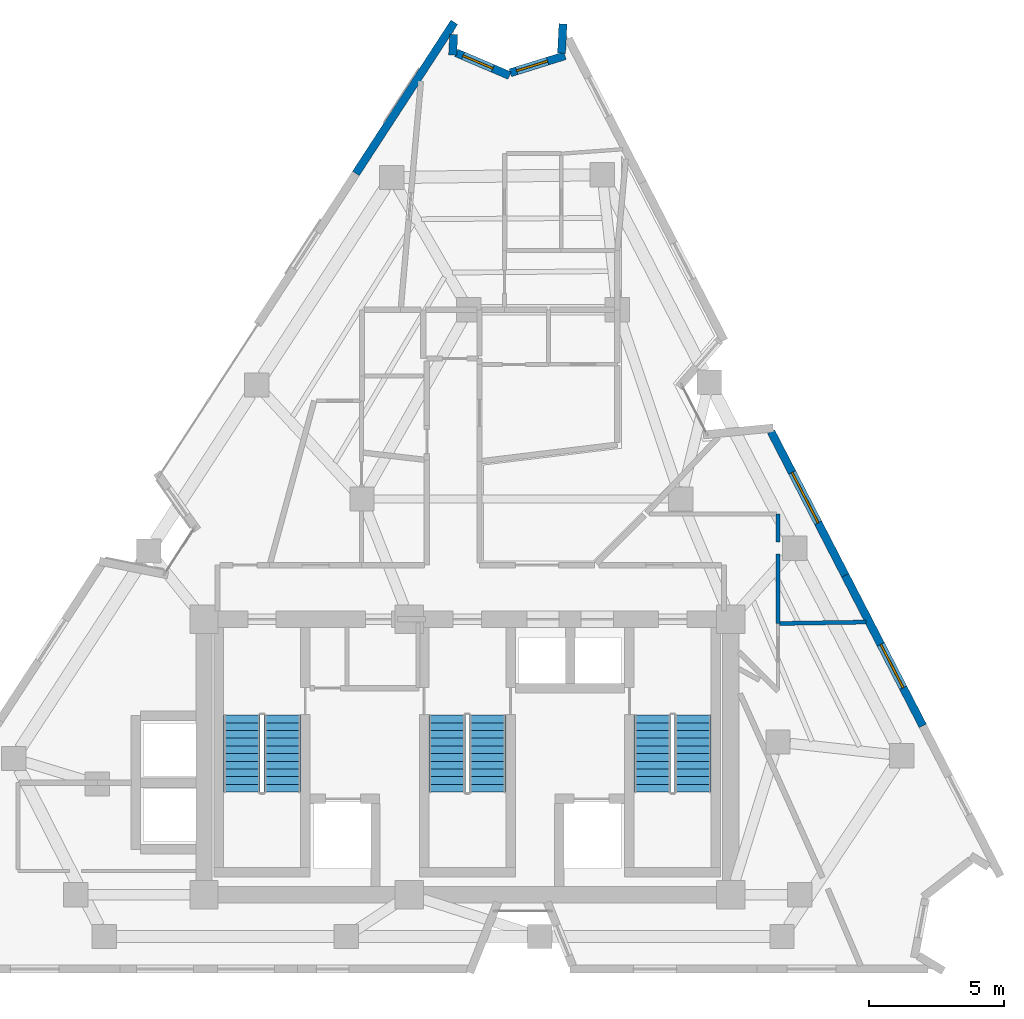
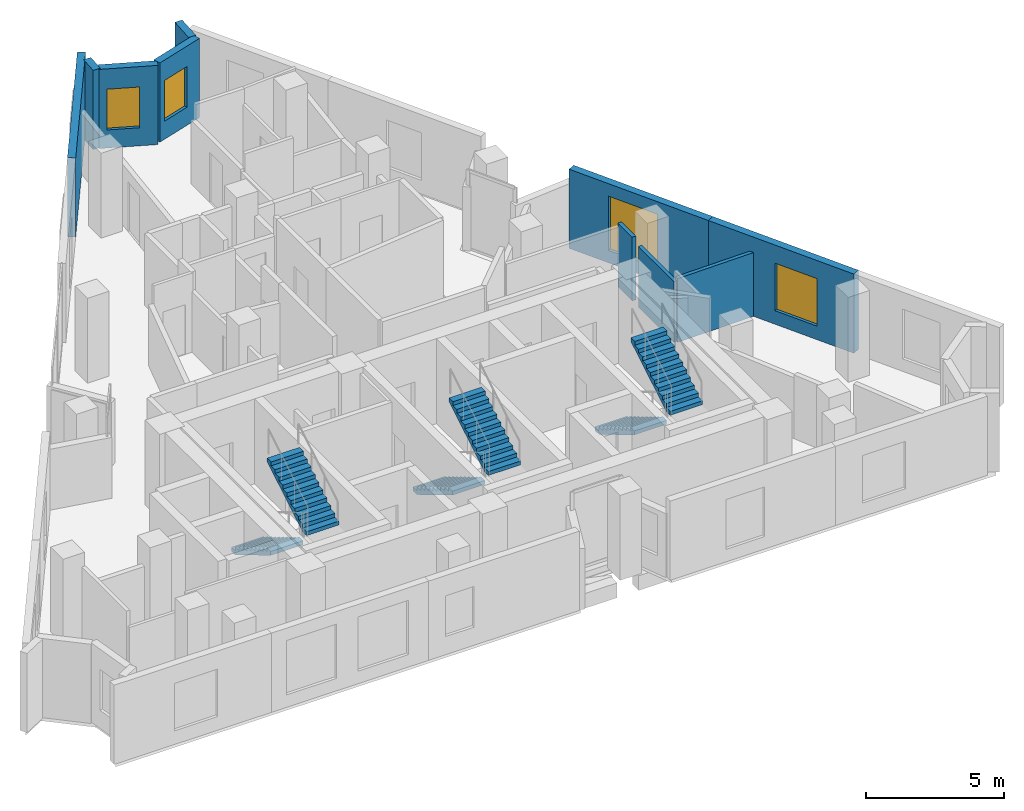
# One storey, part 8 of 9: 10 walls, 6 stair flights, 4 windows, 4 openings, 3 elements without a shape of their own.
"""IFC4 building model written with IfcOpenShell, lengths in metres."""

from ifc_helpers import new_model, si_unit, direction, frame, frame_2d, origin, place, context, subcontext, project, spatial, polyline, rectangle, outline, extrude, material, layer, layer_set, type_object, element, fill, aggregate, save


model = new_model("IFC4")

# Units and contexts
model_context = context("Model", 3, precision=1e-05, world=origin(), true_north=direction((0.0, 1.0)))
body_context = subcontext(model_context, "Body", "Model", "MODEL_VIEW")
ifc_project = project(units=[si_unit("LENGTHUNIT", "METRE"), si_unit("AREAUNIT", "SQUARE_METRE"), si_unit("VOLUMEUNIT", "CUBIC_METRE"), si_unit("PLANEANGLEUNIT", "RADIAN"), si_unit("MASSUNIT", "GRAM", prefix="KILO")], contexts=[model_context])

# Site, building, storey
site_placement = place(None, origin())
site = spatial("IfcSite", under=ifc_project, at=site_placement, CompositionType="ELEMENT")
building_placement = place(site_placement, origin())
building = spatial("IfcBuilding", under=site, at=building_placement, Name="Almagre Mirador Tower", CompositionType="ELEMENT")
storey_placement = place(building_placement, frame((0.0, 0.0, 210.75)))
storey = spatial("IfcBuildingStorey", under=building, at=storey_placement, Name="L54", CompositionType="ELEMENT", Elevation=210.75)

# Walls
ifc_material_1 = material(Name="Precast concrete C50/60", Category="concrete")
ifc_layer_1 = layer(ifc_material_1, 0.300048828125)
ifc_layer_set_1 = layer_set([ifc_layer_1], Name="Precast concrete C50/60")
wall_type_1 = type_object("IfcWallType", Name="WAL-EXT-300", PredefinedType="SOLIDWALL", material=ifc_layer_set_1)
wall_1_placement = place(storey_placement, frame((33.174072265625, 31.2509765625, 0.0), z_axis=(0.0, 0.0, 1.0), x_axis=(0.545624217243, 0.838029959821, 0.0)))
element("IfcWall", 1, at=wall_1_placement, inside=storey, type_object=wall_type_1, Name="L54 expressed almagre precast frame wall 04", PredefinedType="SOLIDWALL", context=body_context, shape_type="SweptSolid", body=[
    extrude(rectangle(XDim=6.6787109375, YDim=0.300048828125, at=frame_2d((3.33935546875, 0.0))), origin(), (0.0, 0.0, 1.0), 3.5),
])
wall_2_placement = place(storey_placement, frame((36.794921875, 36.3935546875, 0.0), z_axis=(0.0, 0.0, 1.0), x_axis=(-0.051035290984, -0.998696850438, 0.0)))
element("IfcWall", 2, at=wall_2_placement, inside=storey, type_object=wall_type_1, Name="L54 expressed almagre precast frame wall 05", PredefinedType="SOLIDWALL", context=body_context, shape_type="SweptSolid", body=[
    extrude(rectangle(XDim=0.765380859375, YDim=0.300048828125, at=frame_2d((0.3828125, 0.0))), origin(), (0.0, 0.0, 1.0), 3.5),
])

# Wall, opening, window
wall_3_placement = place(storey_placement, frame((36.88720703125, 35.7158203125, 0.0), z_axis=(0.0, 0.0, 1.0), x_axis=(0.919567916171, -0.392931097711, 0.0)))
wall_3 = element("IfcWall", 3, at=wall_3_placement, inside=storey, type_object=wall_type_1, Name="L54 expressed almagre precast frame wall 06", PredefinedType="SOLIDWALL", context=body_context, shape_type="SweptSolid", body=[
    extrude(rectangle(XDim=2.147216796875, YDim=0.300048828125, at=frame_2d((1.07373046875, 0.0))), origin(), (0.0, 0.0, 1.0), 3.5),
])
opening_1_placement = place(wall_3_placement, frame((0.27490234375, 0.0, 0.800048828125)))
opening_1 = element("IfcOpeningElement", 4, at=opening_1_placement, cuts=wall_3, Name="Opening WN-04", PredefinedType="OPENING", context=body_context, shape_type="SweptSolid", body=[
    extrude(rectangle(XDim=1.199951171875, YDim=1.800048828125, at=frame_2d((0.60009765625, 0.89990234375))), frame((0.0, 0.159902, 0.0), z_axis=(0.0, -1.0, 0.0), x_axis=(1.0, 0.0, 0.0)), (0.0, 0.0, 1.0), 0.320049),
])
ifc_material_2 = material(Name="Dark solar-control laminated hurricane glass", Category="glass")
window_type_1 = type_object("IfcWindowType", Name="WIN-1200X1800", PartitioningType="SINGLE_PANEL", PredefinedType="WINDOW", material=ifc_material_2)
window_1_placement = place(opening_1_placement, origin())
window_1 = element("IfcWindow", 5, at=window_1_placement, inside=storey, type_object=window_type_1, Name="L54 recessed hurricane window L54-UL-ST", OverallHeight=1.800048828125, OverallWidth=1.199951171875, PartitioningType="SINGLE_PANEL", PredefinedType="WINDOW", context=body_context, shape_type="SweptSolid", body=[
    extrude(rectangle(XDim=1.199951171875, YDim=1.800048828125, at=frame_2d((0.60009765625, 0.89990234375))), frame((0.0, 0.030029296875, 0.0), z_axis=(0.0, -1.0, 0.0), x_axis=(1.0, 0.0, 0.0)), (0.0, 0.0, 1.0), 0.06005859375),
])
fill(opening_1, window_1)

wall_4_placement = place(storey_placement, frame((38.8857421875, 34.974609375, 0.0), z_axis=(0.0, 0.0, 1.0), x_axis=(0.954524975295, 0.298130963736, 0.0)))
wall_4 = element("IfcWall", 6, at=wall_4_placement, inside=storey, type_object=wall_type_1, Name="L54 expressed almagre precast frame wall 07", PredefinedType="SOLIDWALL", context=body_context, shape_type="SweptSolid", body=[
    extrude(rectangle(XDim=2.12353515625, YDim=0.300048828125, at=frame_2d((1.061767578125, 0.0))), origin(), (0.0, 0.0, 1.0), 3.5),
])
opening_2_placement = place(wall_4_placement, frame((0.25, 0.0, 0.800048828125)))
opening_2 = element("IfcOpeningElement", 7, at=opening_2_placement, cuts=wall_4, Name="Opening WN-04", PredefinedType="OPENING", context=body_context, shape_type="SweptSolid", body=[
    extrude(rectangle(XDim=1.199951171875, YDim=1.800048828125, at=frame_2d((0.60009765625, 0.89990234375))), frame((0.0, 0.159902, 0.0), z_axis=(0.0, -1.0, 0.0), x_axis=(1.0, 0.0, 0.0)), (0.0, 0.0, 1.0), 0.320049),
])
window_2_placement = place(opening_2_placement, origin())
window_2 = element("IfcWindow", 8, at=window_2_placement, inside=storey, type_object=window_type_1, Name="L54 recessed hurricane window L54-UL-ST", OverallHeight=1.800048828125, OverallWidth=1.199951171875, PartitioningType="SINGLE_PANEL", PredefinedType="WINDOW", context=body_context, shape_type="SweptSolid", body=[
    extrude(rectangle(XDim=1.199951171875, YDim=1.800048828125, at=frame_2d((0.60009765625, 0.89990234375))), frame((0.0, 0.030029296875, 0.0), z_axis=(0.0, -1.0, 0.0), x_axis=(1.0, 0.0, 0.0)), (0.0, 0.0, 1.0), 0.06005859375),
])
fill(opening_2, window_2)

# Wall
wall_5_placement = place(storey_placement, frame((40.78564453125, 35.700927734375, 0.0), z_axis=(0.0, 0.0, 1.0), x_axis=(0.05016199642, 0.998741094636, 0.0)))
element("IfcWall", 9, at=wall_5_placement, inside=storey, type_object=wall_type_1, Name="L54 expressed almagre precast frame wall 08", PredefinedType="SOLIDWALL", context=body_context, shape_type="SweptSolid", body=[
    extrude(rectangle(XDim=1.08544921875, YDim=0.300048828125, at=frame_2d((0.542724609375, 0.0))), origin(), (0.0, 0.0, 1.0), 3.5),
])

# Wall, opening, window
wall_6_placement = place(storey_placement, frame((48.544189453125, 21.689453125, 0.0), z_axis=(0.0, 0.0, 1.0), x_axis=(0.458305242752, -0.888794860733, 0.0)))
wall_6 = element("IfcWall", 10, at=wall_6_placement, inside=storey, type_object=wall_type_1, Name="L54 expressed almagre precast frame wall 13", PredefinedType="SOLIDWALL", context=body_context, shape_type="SweptSolid", body=[
    extrude(rectangle(XDim=5.986083984375, YDim=0.300048828125, at=frame_2d((2.9931640625, 0.0))), origin(), (0.0, 0.0, 1.0), 3.5),
])
opening_3_placement = place(wall_6_placement, frame((1.695068359375, 0.0, 0.550048828125)))
opening_3 = element("IfcOpeningElement", 11, at=opening_3_placement, cuts=wall_6, Name="Opening WN-05", PredefinedType="OPENING", context=body_context, shape_type="SweptSolid", body=[
    extrude(rectangle(XDim=2.10009765625, YDim=2.39990234375, at=frame_2d((1.050048828125, 1.199951171875))), frame((0.0, 0.159902, 0.0), z_axis=(0.0, -1.0, 0.0), x_axis=(1.0, 0.0, 0.0)), (0.0, 0.0, 1.0), 0.320049),
])
ifc_material_3 = material(Name="Dark solar-control laminated hurricane glass", Category="glass")
window_type_2 = type_object("IfcWindowType", Name="WIN-2100X2400", PartitioningType="DOUBLE_PANEL_VERTICAL", PredefinedType="WINDOW", material=ifc_material_3)
window_3_placement = place(opening_3_placement, origin())
window_3 = element("IfcWindow", 12, at=window_3_placement, inside=storey, type_object=window_type_2, Name="L54 recessed hurricane window L54-UE-BT", OverallHeight=2.39990234375, OverallWidth=2.10009765625, PartitioningType="SINGLE_PANEL", PredefinedType="WINDOW", context=body_context, shape_type="SweptSolid", body=[
    extrude(rectangle(XDim=2.10009765625, YDim=2.39990234375, at=frame_2d((1.050048828125, 1.199951171875))), frame((0.0, 0.030029296875, 0.0), z_axis=(0.0, -1.0, 0.0), x_axis=(1.0, 0.0, 0.0)), (0.0, 0.0, 1.0), 0.06005859375),
])
fill(opening_3, window_3)

wall_7_placement = place(storey_placement, frame((51.28759765625, 16.369140625, 0.0), z_axis=(0.0, 0.0, 1.0), x_axis=(0.458306446078, -0.88879424024, 0.0)))
wall_7 = element("IfcWall", 13, at=wall_7_placement, inside=storey, type_object=wall_type_1, Name="L54 expressed almagre precast frame wall 14", PredefinedType="SOLIDWALL", context=body_context, shape_type="SweptSolid", body=[
    extrude(rectangle(XDim=6.26611328125, YDim=0.300048828125, at=frame_2d((3.133056640625, 0.0))), origin(), (0.0, 0.0, 1.0), 3.5),
])
opening_4_placement = place(wall_7_placement, frame((2.875, 0.0, 0.60009765625)))
opening_4 = element("IfcOpeningElement", 14, at=opening_4_placement, cuts=wall_7, Name="Opening WN-01", PredefinedType="OPENING", context=body_context, shape_type="SweptSolid", body=[
    extrude(rectangle(XDim=1.800048828125, YDim=2.10009765625, at=frame_2d((0.89990234375, 1.050048828125))), frame((0.0, 0.159902, 0.0), z_axis=(0.0, -1.0, 0.0), x_axis=(1.0, 0.0, 0.0)), (0.0, 0.0, 1.0), 0.320049),
])
ifc_material_4 = material(Name="Dark solar-control laminated hurricane glass", Category="glass")
window_type_3 = type_object("IfcWindowType", Name="WIN-1800X2100", PartitioningType="DOUBLE_PANEL_VERTICAL", PredefinedType="WINDOW", material=ifc_material_4)
window_4_placement = place(opening_4_placement, origin())
window_4 = element("IfcWindow", 15, at=window_4_placement, inside=storey, type_object=window_type_3, Name="L54 recessed hurricane window L54-UE-KT", OverallHeight=2.10009765625, OverallWidth=1.800048828125, PartitioningType="SINGLE_PANEL", PredefinedType="WINDOW", context=body_context, shape_type="SweptSolid", body=[
    extrude(rectangle(XDim=1.800048828125, YDim=2.10009765625, at=frame_2d((0.89990234375, 1.050048828125))), frame((0.0, 0.030029296875, 0.0), z_axis=(0.0, -1.0, 0.0), x_axis=(1.0, 0.0, 0.0)), (0.0, 0.0, 1.0), 0.06005859375),
])
fill(opening_4, window_4)

# Walls
ifc_material_5 = material(Name="Gypsum acoustic stud partition", Category="other")
ifc_layer_2 = layer(ifc_material_5, 0.14990234375)
ifc_layer_set_2 = layer_set([ifc_layer_2], Name="Gypsum acoustic stud partition")
wall_type_2 = type_object("IfcWallType", Name="WAL-PRT-150-STD", PredefinedType="PARTITIONING", material=ifc_layer_set_2)
wall_8_placement = place(storey_placement, frame((48.800048828125, 17.60009765625, 0.0), z_axis=(0.0, 0.0, 1.0), x_axis=(0.0, 1.0, 0.0)))
element("IfcWall", 16, at=wall_8_placement, inside=storey, type_object=wall_type_2, Name="L54 interior partition 037", PredefinedType="PARTITIONING", context=body_context, shape_type="SweptSolid", body=[
    extrude(rectangle(XDim=1.039794921875, YDim=0.14990234375, at=frame_2d((0.52001953125, 0.0))), origin(), (0.0, 0.0, 1.0), 2.820068359375),
])
wall_9_placement = place(storey_placement, frame((48.800048828125, 14.590087890625, 0.0), z_axis=(0.0, 0.0, 1.0), x_axis=(0.0, 1.0, 0.0)))
element("IfcWall", 17, at=wall_9_placement, inside=storey, type_object=wall_type_2, Name="L54 interior partition 039", PredefinedType="PARTITIONING", context=body_context, shape_type="SweptSolid", body=[
    extrude(rectangle(XDim=2.56982421875, YDim=0.14990234375, at=frame_2d((1.284912109375, 0.0))), origin(), (0.0, 0.0, 1.0), 2.68505859375),
])
wall_10_placement = place(storey_placement, frame((52.051025390625, 14.64306640625, 0.0), z_axis=(0.0, 0.0, 1.0), x_axis=(-0.999865797865, -0.016382498593, 0.0)))
element("IfcWall", 18, at=wall_10_placement, inside=storey, type_object=wall_type_2, Name="L54 interior partition 041", PredefinedType="PARTITIONING", context=body_context, shape_type="SweptSolid", body=[
    extrude(rectangle(XDim=3.2041015625, YDim=0.14990234375, at=frame_2d((1.60205078125, 0.0))), origin(), (0.0, 0.0, 1.0), 2.820068359375),
])

# Stair, stair flights
ifc_material_6 = material(Name="Concrete C45/55", Category="concrete")
stair_type = type_object("IfcStairType", Name="STR-DL-3750", PredefinedType="HALF_TURN_STAIR", material=ifc_material_6)
stair_1_placement = place(storey_placement, origin())
stair_1 = element("IfcStair", 19, at=stair_1_placement, inside=storey, type_object=stair_type, Name="L54 Protected exit stair ST-1", PredefinedType="HALF_TURN_STAIR")
ifc_material_7 = material(Name="Concrete C45/55", Category="concrete")
stair_flight_type = type_object("IfcStairFlightType", Name="FLT-DL-3750", PredefinedType="STRAIGHT", material=ifc_material_7)
stair_flight_1_placement = place(storey_placement, frame((28.949951171875, 11.199951171875, 0.0), z_axis=(0.0, 0.0, 1.0), x_axis=(0.0, -1.0, 0.0)))
stair_flight_1 = element("IfcStairFlight", 20, at=stair_flight_1_placement, type_object=stair_flight_type, Name="ST-1 flight 1", NumberOfRisers=11, NumberOfTreads=10, PredefinedType="STRAIGHT", RiserHeight=0.170454545, TreadLength=0.285, context=body_context, shape_type="SweptSolid", body=[
    extrude(outline(polyline([(0.0, 0.0), (0.0, 0.17041015625), (0.284912109375, 0.17041015625), (0.284912109375, 0.3408203125), (0.570068359375, 0.3408203125), (0.570068359375, 0.511474609375), (0.85498046875, 0.511474609375), (0.85498046875, 0.681884765625), (1.139892578125, 0.681884765625), (1.139892578125, 0.852294921875), (1.425048828125, 0.852294921875), (1.425048828125, 1.022705078125), (1.7099609375, 1.022705078125), (1.7099609375, 1.193115234375), (1.9951171875, 1.193115234375), (1.9951171875, 1.363525390625), (2.280029296875, 1.363525390625), (2.280029296875, 1.5341796875), (2.56494140625, 1.5341796875), (2.56494140625, 1.70458984375), (2.85009765625, 1.70458984375), (2.85009765625, 1.875), (2.85009765625, 1.52978515625), (0.2919921875, 0.0), (0.0, 0.0)])), frame((0.0, 0.675048828125, 0.0), z_axis=(0.0, -1.0, 0.0), x_axis=(1.0, 0.0, 0.0)), (0.0, 0.0, 1.0), 1.35009765625),
])
stair_flight_2_placement = place(storey_placement, frame((30.449951171875, 8.35009765625, 1.875), z_axis=(0.0, 0.0, 1.0), x_axis=(0.0, 1.0, 0.0)))
stair_flight_2 = element("IfcStairFlight", 21, at=stair_flight_2_placement, type_object=stair_flight_type, Name="ST-1 flight 2", NumberOfRisers=11, NumberOfTreads=10, PredefinedType="STRAIGHT", RiserHeight=0.170454545, TreadLength=0.285, context=body_context, shape_type="SweptSolid", body=[
    extrude(outline(polyline([(0.0, 0.0), (0.0, 0.17041015625), (0.284912109375, 0.17041015625), (0.284912109375, 0.3408203125), (0.570068359375, 0.3408203125), (0.570068359375, 0.511474609375), (0.85498046875, 0.511474609375), (0.85498046875, 0.681884765625), (1.139892578125, 0.681884765625), (1.139892578125, 0.852294921875), (1.425048828125, 0.852294921875), (1.425048828125, 1.022705078125), (1.7099609375, 1.022705078125), (1.7099609375, 1.193115234375), (1.9951171875, 1.193115234375), (1.9951171875, 1.363525390625), (2.280029296875, 1.363525390625), (2.280029296875, 1.5341796875), (2.56494140625, 1.5341796875), (2.56494140625, 1.70458984375), (2.85009765625, 1.70458984375), (2.85009765625, 1.875), (2.85009765625, 1.52978515625), (0.2919921875, 0.0), (0.0, 0.0)])), frame((0.0, 0.675048828125, 0.0), z_axis=(0.0, -1.0, 0.0), x_axis=(1.0, 0.0, 0.0)), (0.0, 0.0, 1.0), 1.35009765625),
])
aggregate(stair_1, [stair_flight_1, stair_flight_2])

stair_2_placement = place(storey_placement, origin())
stair_2 = element("IfcStair", 22, at=stair_2_placement, inside=storey, type_object=stair_type, Name="L54 Protected exit stair ST-2", PredefinedType="HALF_TURN_STAIR")
stair_flight_3_placement = place(storey_placement, frame((36.550048828125, 11.199951171875, 0.0), z_axis=(0.0, 0.0, 1.0), x_axis=(0.0, -1.0, 0.0)))
stair_flight_3 = element("IfcStairFlight", 23, at=stair_flight_3_placement, type_object=stair_flight_type, Name="ST-2 flight 1", NumberOfRisers=11, NumberOfTreads=10, PredefinedType="STRAIGHT", RiserHeight=0.170454545, TreadLength=0.285, context=body_context, shape_type="SweptSolid", body=[
    extrude(outline(polyline([(0.0, 0.0), (0.0, 0.17041015625), (0.284912109375, 0.17041015625), (0.284912109375, 0.3408203125), (0.570068359375, 0.3408203125), (0.570068359375, 0.511474609375), (0.85498046875, 0.511474609375), (0.85498046875, 0.681884765625), (1.139892578125, 0.681884765625), (1.139892578125, 0.852294921875), (1.425048828125, 0.852294921875), (1.425048828125, 1.022705078125), (1.7099609375, 1.022705078125), (1.7099609375, 1.193115234375), (1.9951171875, 1.193115234375), (1.9951171875, 1.363525390625), (2.280029296875, 1.363525390625), (2.280029296875, 1.5341796875), (2.56494140625, 1.5341796875), (2.56494140625, 1.70458984375), (2.85009765625, 1.70458984375), (2.85009765625, 1.875), (2.85009765625, 1.52978515625), (0.2919921875, 0.0), (0.0, 0.0)])), frame((0.0, 0.675048828125, 0.0), z_axis=(0.0, -1.0, 0.0), x_axis=(1.0, 0.0, 0.0)), (0.0, 0.0, 1.0), 1.35009765625),
])
stair_flight_4_placement = place(storey_placement, frame((38.050048828125, 8.35009765625, 1.875), z_axis=(0.0, 0.0, 1.0), x_axis=(0.0, 1.0, 0.0)))
stair_flight_4 = element("IfcStairFlight", 24, at=stair_flight_4_placement, type_object=stair_flight_type, Name="ST-2 flight 2", NumberOfRisers=11, NumberOfTreads=10, PredefinedType="STRAIGHT", RiserHeight=0.170454545, TreadLength=0.285, context=body_context, shape_type="SweptSolid", body=[
    extrude(outline(polyline([(0.0, 0.0), (0.0, 0.17041015625), (0.284912109375, 0.17041015625), (0.284912109375, 0.3408203125), (0.570068359375, 0.3408203125), (0.570068359375, 0.511474609375), (0.85498046875, 0.511474609375), (0.85498046875, 0.681884765625), (1.139892578125, 0.681884765625), (1.139892578125, 0.852294921875), (1.425048828125, 0.852294921875), (1.425048828125, 1.022705078125), (1.7099609375, 1.022705078125), (1.7099609375, 1.193115234375), (1.9951171875, 1.193115234375), (1.9951171875, 1.363525390625), (2.280029296875, 1.363525390625), (2.280029296875, 1.5341796875), (2.56494140625, 1.5341796875), (2.56494140625, 1.70458984375), (2.85009765625, 1.70458984375), (2.85009765625, 1.875), (2.85009765625, 1.52978515625), (0.2919921875, 0.0), (0.0, 0.0)])), frame((0.0, 0.675048828125, 0.0), z_axis=(0.0, -1.0, 0.0), x_axis=(1.0, 0.0, 0.0)), (0.0, 0.0, 1.0), 1.35009765625),
])
aggregate(stair_2, [stair_flight_3, stair_flight_4])

stair_3_placement = place(storey_placement, origin())
stair_3 = element("IfcStair", 25, at=stair_3_placement, inside=storey, type_object=stair_type, Name="L54 Protected exit stair ST-3", PredefinedType="HALF_TURN_STAIR")
stair_flight_5_placement = place(storey_placement, frame((44.14990234375, 11.199951171875, 0.0), z_axis=(0.0, 0.0, 1.0), x_axis=(0.0, -1.0, 0.0)))
stair_flight_5 = element("IfcStairFlight", 26, at=stair_flight_5_placement, type_object=stair_flight_type, Name="ST-3 flight 1", NumberOfRisers=11, NumberOfTreads=10, PredefinedType="STRAIGHT", RiserHeight=0.170454545, TreadLength=0.285, context=body_context, shape_type="SweptSolid", body=[
    extrude(outline(polyline([(0.0, 0.0), (0.0, 0.17041015625), (0.284912109375, 0.17041015625), (0.284912109375, 0.3408203125), (0.570068359375, 0.3408203125), (0.570068359375, 0.511474609375), (0.85498046875, 0.511474609375), (0.85498046875, 0.681884765625), (1.139892578125, 0.681884765625), (1.139892578125, 0.852294921875), (1.425048828125, 0.852294921875), (1.425048828125, 1.022705078125), (1.7099609375, 1.022705078125), (1.7099609375, 1.193115234375), (1.9951171875, 1.193115234375), (1.9951171875, 1.363525390625), (2.280029296875, 1.363525390625), (2.280029296875, 1.5341796875), (2.56494140625, 1.5341796875), (2.56494140625, 1.70458984375), (2.85009765625, 1.70458984375), (2.85009765625, 1.875), (2.85009765625, 1.52978515625), (0.2919921875, 0.0), (0.0, 0.0)])), frame((0.0, 0.675048828125, 0.0), z_axis=(0.0, -1.0, 0.0), x_axis=(1.0, 0.0, 0.0)), (0.0, 0.0, 1.0), 1.35009765625),
])
stair_flight_6_placement = place(storey_placement, frame((45.64990234375, 8.35009765625, 1.875), z_axis=(0.0, 0.0, 1.0), x_axis=(0.0, 1.0, 0.0)))
stair_flight_6 = element("IfcStairFlight", 27, at=stair_flight_6_placement, type_object=stair_flight_type, Name="ST-3 flight 2", NumberOfRisers=11, NumberOfTreads=10, PredefinedType="STRAIGHT", RiserHeight=0.170454545, TreadLength=0.285, context=body_context, shape_type="SweptSolid", body=[
    extrude(outline(polyline([(0.0, 0.0), (0.0, 0.17041015625), (0.284912109375, 0.17041015625), (0.284912109375, 0.3408203125), (0.570068359375, 0.3408203125), (0.570068359375, 0.511474609375), (0.85498046875, 0.511474609375), (0.85498046875, 0.681884765625), (1.139892578125, 0.681884765625), (1.139892578125, 0.852294921875), (1.425048828125, 0.852294921875), (1.425048828125, 1.022705078125), (1.7099609375, 1.022705078125), (1.7099609375, 1.193115234375), (1.9951171875, 1.193115234375), (1.9951171875, 1.363525390625), (2.280029296875, 1.363525390625), (2.280029296875, 1.5341796875), (2.56494140625, 1.5341796875), (2.56494140625, 1.70458984375), (2.85009765625, 1.70458984375), (2.85009765625, 1.875), (2.85009765625, 1.52978515625), (0.2919921875, 0.0), (0.0, 0.0)])), frame((0.0, 0.675048828125, 0.0), z_axis=(0.0, -1.0, 0.0), x_axis=(1.0, 0.0, 0.0)), (0.0, 0.0, 1.0), 1.35009765625),
])
aggregate(stair_3, [stair_flight_5, stair_flight_6])

save(model, "model.ifc")
